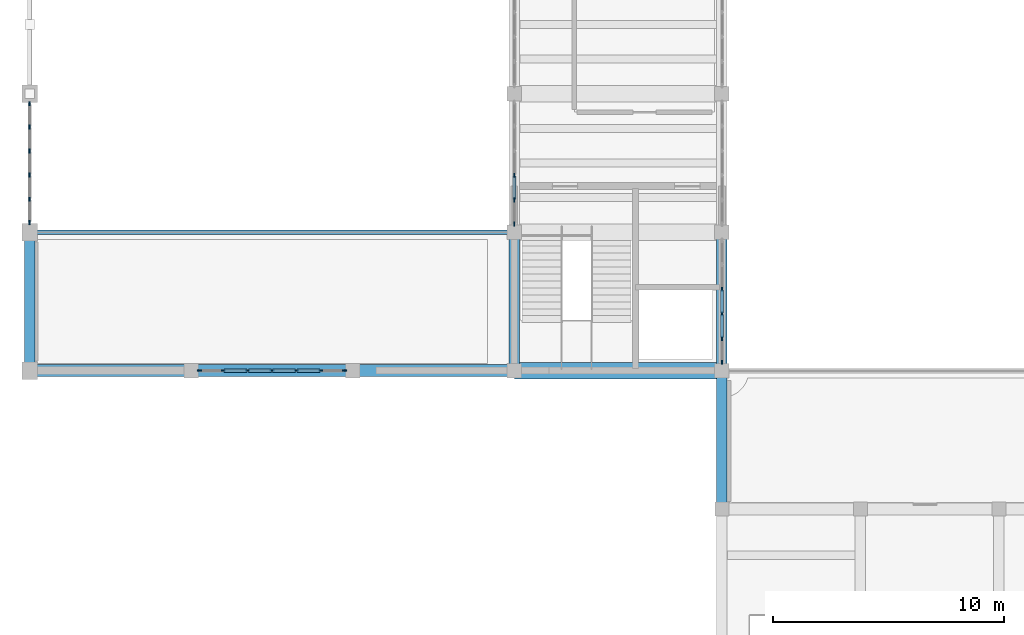
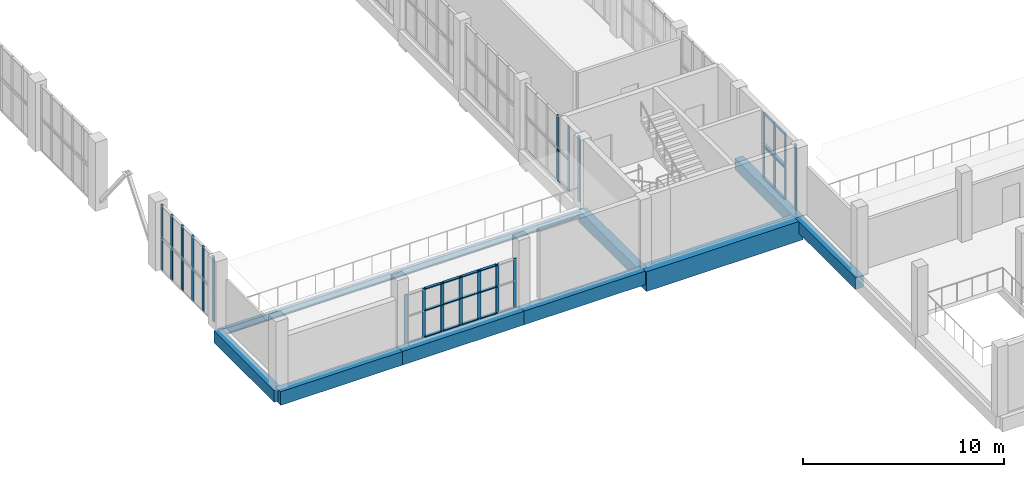
# One storey, part 3 of 85: 55 members, 9 beams, 7 elements without a shape of their own.
"""IFC4 building model written with IfcOpenShell, lengths in metres."""

from ifc_helpers import new_model, si_unit, direction, frame, origin, origin_2d, place, context, subcontext, project, spatial, rectangle, i_section, extrude, material, layer, layer_set, material_profile, profile_set, type_object, element, aggregate, save


model = new_model("IFC4")

# Units and contexts
model_context = context("Model", 3, precision=1e-05, world=origin(), true_north=direction((0.0, 1.0)))
body_context = subcontext(model_context, "Body", "Model", "MODEL_VIEW")
ifc_project = project(units=[si_unit("LENGTHUNIT", "METRE"), si_unit("AREAUNIT", "SQUARE_METRE"), si_unit("VOLUMEUNIT", "CUBIC_METRE"), si_unit("PLANEANGLEUNIT", "RADIAN"), si_unit("MASSUNIT", "GRAM", prefix="KILO")], contexts=[model_context])

# Site, building, storey
site_placement = place(None, origin())
site = spatial("IfcSite", under=ifc_project, at=site_placement, CompositionType="ELEMENT")
building_placement = place(site_placement, origin())
building = spatial("IfcBuilding", under=site, at=building_placement, Name="Solvane Community Centre", CompositionType="ELEMENT")
storey_placement = place(building_placement, frame((0.0, 0.0, 5.39990234375)))
storey = spatial("IfcBuildingStorey", under=building, at=storey_placement, Name="L01", CompositionType="ELEMENT", Elevation=5.39990234375)

# Curtain wall, members
ifc_material_1 = material(Name="Anodised bronze aluminium AW-6063 T6", Category="aluminium")
ifc_layer_1 = layer(ifc_material_1, 0.18994140625)
ifc_layer_set_1 = layer_set([ifc_layer_1], Name="Anodised bronze aluminium AW-6063 T6")
curtain_wall_type_1 = type_object("IfcCurtainWallType", Name="Boulevard Bronze Vision Curtain Wall [63x30dm]", PredefinedType="NOTDEFINED", material=ifc_layer_set_1)
curtain_wall_1_placement = place(storey_placement, origin())
curtain_wall_1 = element("IfcCurtainWall", 1, at=curtain_wall_1_placement, inside=storey, type_object=curtain_wall_type_1, Name="Curtain Wall CW-L01-197_420-084", PredefinedType="NOTDEFINED")
ifc_material_profile_1 = material_profile(ifc_material_1, rectangle(XDim=0.06005859375, YDim=0.18994140625, at=origin_2d()), Name="CW-M 60x190")
ifc_profile_set_1 = profile_set([ifc_material_profile_1], Name="Anodised bronze aluminium AW-6063 T6")
member_type_1 = type_object("IfcMemberType", Name="Boulevard Mullion 60x190", PredefinedType="MULLION", material=ifc_profile_set_1)
member_1_placement = place(storey_placement, frame((19.639892578125, 42.0, 0.0), z_axis=(0.0, 0.0, 1.0), x_axis=(0.0, -1.0, 0.0)))
member_1 = element("IfcMember", 2, at=member_1_placement, type_object=member_type_1, Name="CW02-63x30 mullion 1", PredefinedType="MULLION", context=body_context, shape_type="SweptSolid", body=[
    extrude(rectangle(XDim=0.06005859375, YDim=0.18994140625, at=origin_2d()), origin(), (0.0, 0.0, 1.0), 2.965087890625),
])
member_2_placement = place(storey_placement, frame((18.61328125, 42.0, 0.0), z_axis=(0.0, 0.0, 1.0), x_axis=(0.0, -1.0, 0.0)))
member_2 = element("IfcMember", 3, at=member_2_placement, type_object=member_type_1, Name="CW02-63x30 mullion 2", PredefinedType="MULLION", context=body_context, shape_type="SweptSolid", body=[
    extrude(rectangle(XDim=0.06005859375, YDim=0.18994140625, at=origin_2d()), origin(), (0.0, 0.0, 1.0), 2.965087890625),
])
member_3_placement = place(storey_placement, frame((17.556640625, 42.0, 0.0), z_axis=(0.0, 0.0, 1.0), x_axis=(0.0, -1.0, 0.0)))
member_3 = element("IfcMember", 4, at=member_3_placement, type_object=member_type_1, Name="CW02-63x30 mullion 3", PredefinedType="MULLION", context=body_context, shape_type="SweptSolid", body=[
    extrude(rectangle(XDim=0.06005859375, YDim=0.18994140625, at=origin_2d()), origin(), (0.0, 0.0, 1.0), 2.965087890625),
])
member_4_placement = place(storey_placement, frame((16.5, 42.0, 0.0), z_axis=(0.0, 0.0, 1.0), x_axis=(0.0, -1.0, 0.0)))
member_4 = element("IfcMember", 5, at=member_4_placement, type_object=member_type_1, Name="CW02-63x30 mullion 4", PredefinedType="MULLION", context=body_context, shape_type="SweptSolid", body=[
    extrude(rectangle(XDim=0.06005859375, YDim=0.18994140625, at=origin_2d()), origin(), (0.0, 0.0, 1.0), 2.965087890625),
])
member_5_placement = place(storey_placement, frame((15.443359375, 42.0, 0.0), z_axis=(0.0, 0.0, 1.0), x_axis=(0.0, -1.0, 0.0)))
member_5 = element("IfcMember", 6, at=member_5_placement, type_object=member_type_1, Name="CW02-63x30 mullion 5", PredefinedType="MULLION", context=body_context, shape_type="SweptSolid", body=[
    extrude(rectangle(XDim=0.06005859375, YDim=0.18994140625, at=origin_2d()), origin(), (0.0, 0.0, 1.0), 2.965087890625),
])
member_6_placement = place(storey_placement, frame((14.38671875, 42.0, 0.0), z_axis=(0.0, 0.0, 1.0), x_axis=(0.0, -1.0, 0.0)))
member_6 = element("IfcMember", 7, at=member_6_placement, type_object=member_type_1, Name="CW02-63x30 mullion 6", PredefinedType="MULLION", context=body_context, shape_type="SweptSolid", body=[
    extrude(rectangle(XDim=0.06005859375, YDim=0.18994140625, at=origin_2d()), origin(), (0.0, 0.0, 1.0), 2.965087890625),
])
member_7_placement = place(storey_placement, frame((13.360107421875, 42.0, 0.0), z_axis=(0.0, 0.0, 1.0), x_axis=(0.0, -1.0, 0.0)))
member_7 = element("IfcMember", 8, at=member_7_placement, type_object=member_type_1, Name="CW02-63x30 mullion 7", PredefinedType="MULLION", context=body_context, shape_type="SweptSolid", body=[
    extrude(rectangle(XDim=0.06005859375, YDim=0.18994140625, at=origin_2d()), origin(), (0.0, 0.0, 1.0), 2.965087890625),
])
ifc_material_profile_2 = material_profile(ifc_material_1, rectangle(XDim=0.14990234375, YDim=0.06005859375, at=origin_2d()), Name="CW-T 60x150")
ifc_profile_set_2 = profile_set([ifc_material_profile_2], Name="Anodised bronze aluminium AW-6063 T6")
member_type_2 = type_object("IfcMemberType", Name="Boulevard Transom 60x150", PredefinedType="USERDEFINED", material=ifc_profile_set_2)
member_8_placement = place(storey_placement, frame((18.583251953125, 42.0, 0.030029296875), z_axis=(-1.0, 0.0, 0.0), x_axis=(0.0, -1.0, 0.0)))
member_8 = element("IfcMember", 9, at=member_8_placement, type_object=member_type_2, Name="CW02-63x30 transom 2.1", ObjectType="TRANSOM", PredefinedType="USERDEFINED", context=body_context, shape_type="SweptSolid", body=[
    extrude(rectangle(XDim=0.14990234375, YDim=0.06005859375, at=origin_2d()), origin(), (0.0, 0.0, 1.0), 0.99658203125),
])
member_9_placement = place(storey_placement, frame((18.583251953125, 42.0, 1.631103515625), z_axis=(-1.0, 0.0, 0.0), x_axis=(0.0, -1.0, 0.0)))
member_9 = element("IfcMember", 10, at=member_9_placement, type_object=member_type_2, Name="CW02-63x30 transom 2.2", ObjectType="TRANSOM", PredefinedType="USERDEFINED", context=body_context, shape_type="SweptSolid", body=[
    extrude(rectangle(XDim=0.14990234375, YDim=0.06005859375, at=origin_2d()), origin(), (0.0, 0.0, 1.0), 0.99658203125),
])
member_10_placement = place(storey_placement, frame((18.583251953125, 42.0, 2.93505859375), z_axis=(-1.0, 0.0, 0.0), x_axis=(0.0, -1.0, 0.0)))
member_10 = element("IfcMember", 11, at=member_10_placement, type_object=member_type_2, Name="CW02-63x30 transom 2.3", ObjectType="TRANSOM", PredefinedType="USERDEFINED", context=body_context, shape_type="SweptSolid", body=[
    extrude(rectangle(XDim=0.14990234375, YDim=0.06005859375, at=origin_2d()), origin(), (0.0, 0.0, 1.0), 0.99658203125),
])
member_11_placement = place(storey_placement, frame((17.526611328125, 42.0, 0.030029296875), z_axis=(-1.0, 0.0, 0.0), x_axis=(0.0, -1.0, 0.0)))
member_11 = element("IfcMember", 12, at=member_11_placement, type_object=member_type_2, Name="CW02-63x30 transom 3.1", ObjectType="TRANSOM", PredefinedType="USERDEFINED", context=body_context, shape_type="SweptSolid", body=[
    extrude(rectangle(XDim=0.14990234375, YDim=0.06005859375, at=origin_2d()), origin(), (0.0, 0.0, 1.0), 0.99658203125),
])
member_12_placement = place(storey_placement, frame((17.526611328125, 42.0, 1.631103515625), z_axis=(-1.0, 0.0, 0.0), x_axis=(0.0, -1.0, 0.0)))
member_12 = element("IfcMember", 13, at=member_12_placement, type_object=member_type_2, Name="CW02-63x30 transom 3.2", ObjectType="TRANSOM", PredefinedType="USERDEFINED", context=body_context, shape_type="SweptSolid", body=[
    extrude(rectangle(XDim=0.14990234375, YDim=0.06005859375, at=origin_2d()), origin(), (0.0, 0.0, 1.0), 0.99658203125),
])
member_13_placement = place(storey_placement, frame((17.526611328125, 42.0, 2.93505859375), z_axis=(-1.0, 0.0, 0.0), x_axis=(0.0, -1.0, 0.0)))
member_13 = element("IfcMember", 14, at=member_13_placement, type_object=member_type_2, Name="CW02-63x30 transom 3.3", ObjectType="TRANSOM", PredefinedType="USERDEFINED", context=body_context, shape_type="SweptSolid", body=[
    extrude(rectangle(XDim=0.14990234375, YDim=0.06005859375, at=origin_2d()), origin(), (0.0, 0.0, 1.0), 0.99658203125),
])
member_14_placement = place(storey_placement, frame((16.469970703125, 42.0, 0.030029296875), z_axis=(-1.0, 0.0, 0.0), x_axis=(0.0, -1.0, 0.0)))
member_14 = element("IfcMember", 15, at=member_14_placement, type_object=member_type_2, Name="CW02-63x30 transom 4.1", ObjectType="TRANSOM", PredefinedType="USERDEFINED", context=body_context, shape_type="SweptSolid", body=[
    extrude(rectangle(XDim=0.14990234375, YDim=0.06005859375, at=origin_2d()), origin(), (0.0, 0.0, 1.0), 0.99658203125),
])
member_15_placement = place(storey_placement, frame((16.469970703125, 42.0, 1.631103515625), z_axis=(-1.0, 0.0, 0.0), x_axis=(0.0, -1.0, 0.0)))
member_15 = element("IfcMember", 16, at=member_15_placement, type_object=member_type_2, Name="CW02-63x30 transom 4.2", ObjectType="TRANSOM", PredefinedType="USERDEFINED", context=body_context, shape_type="SweptSolid", body=[
    extrude(rectangle(XDim=0.14990234375, YDim=0.06005859375, at=origin_2d()), origin(), (0.0, 0.0, 1.0), 0.99658203125),
])
member_16_placement = place(storey_placement, frame((16.469970703125, 42.0, 2.93505859375), z_axis=(-1.0, 0.0, 0.0), x_axis=(0.0, -1.0, 0.0)))
member_16 = element("IfcMember", 17, at=member_16_placement, type_object=member_type_2, Name="CW02-63x30 transom 4.3", ObjectType="TRANSOM", PredefinedType="USERDEFINED", context=body_context, shape_type="SweptSolid", body=[
    extrude(rectangle(XDim=0.14990234375, YDim=0.06005859375, at=origin_2d()), origin(), (0.0, 0.0, 1.0), 0.99658203125),
])
member_17_placement = place(storey_placement, frame((15.413330078125, 42.0, 0.030029296875), z_axis=(-1.0, 0.0, 0.0), x_axis=(0.0, -1.0, 0.0)))
member_17 = element("IfcMember", 18, at=member_17_placement, type_object=member_type_2, Name="CW02-63x30 transom 5.1", ObjectType="TRANSOM", PredefinedType="USERDEFINED", context=body_context, shape_type="SweptSolid", body=[
    extrude(rectangle(XDim=0.14990234375, YDim=0.06005859375, at=origin_2d()), origin(), (0.0, 0.0, 1.0), 0.99658203125),
])
member_18_placement = place(storey_placement, frame((15.413330078125, 42.0, 1.631103515625), z_axis=(-1.0, 0.0, 0.0), x_axis=(0.0, -1.0, 0.0)))
member_18 = element("IfcMember", 19, at=member_18_placement, type_object=member_type_2, Name="CW02-63x30 transom 5.2", ObjectType="TRANSOM", PredefinedType="USERDEFINED", context=body_context, shape_type="SweptSolid", body=[
    extrude(rectangle(XDim=0.14990234375, YDim=0.06005859375, at=origin_2d()), origin(), (0.0, 0.0, 1.0), 0.99658203125),
])
member_19_placement = place(storey_placement, frame((15.413330078125, 42.0, 2.93505859375), z_axis=(-1.0, 0.0, 0.0), x_axis=(0.0, -1.0, 0.0)))
member_19 = element("IfcMember", 20, at=member_19_placement, type_object=member_type_2, Name="CW02-63x30 transom 5.3", ObjectType="TRANSOM", PredefinedType="USERDEFINED", context=body_context, shape_type="SweptSolid", body=[
    extrude(rectangle(XDim=0.14990234375, YDim=0.06005859375, at=origin_2d()), origin(), (0.0, 0.0, 1.0), 0.99658203125),
])
aggregate(curtain_wall_1, [member_1, member_2, member_3, member_4, member_5, member_6, member_7, member_8, member_9, member_10, member_11, member_12, member_13, member_14, member_15, member_16, member_17, member_18, member_19])

ifc_layer_2 = layer(ifc_material_1, 0.179931640625)
ifc_layer_set_2 = layer_set([ifc_layer_2], Name="Anodised bronze aluminium AW-6063 T6")
curtain_wall_type_2 = type_object("IfcCurtainWallType", Name="Hall Translucent Upper Curtain Wall [53x19dm]", PredefinedType="NOTDEFINED", material=ifc_layer_set_2)
curtain_wall_2_placement = place(storey_placement, origin())
curtain_wall_2 = element("IfcCurtainWall", 21, at=curtain_wall_2_placement, inside=storey, type_object=curtain_wall_type_2, Name="Curtain Wall CW-L01-360_423-031", PredefinedType="NOTDEFINED")
ifc_material_profile_3 = material_profile(ifc_material_1, rectangle(XDim=0.06005859375, YDim=0.179931640625, at=origin_2d()), Name="CW-M 60x180")
ifc_profile_set_3 = profile_set([ifc_material_profile_3], Name="Anodised bronze aluminium AW-6063 T6")
member_type_3 = type_object("IfcMemberType", Name="Hall Mullion 60x180", PredefinedType="MULLION", material=ifc_profile_set_3)
member_20_placement = place(storey_placement, frame((36.0, 42.360107421875, 0.0), z_axis=(0.0, 0.0, 1.0), x_axis=(-1.0, 0.0, 0.0)))
member_20 = element("IfcMember", 22, at=member_20_placement, type_object=member_type_3, Name="CW01-53x19 mullion 1", PredefinedType="MULLION", context=body_context, shape_type="SweptSolid", body=[
    extrude(rectangle(XDim=0.06005859375, YDim=0.179931640625, at=origin_2d()), origin(), (0.0, 0.0, 1.0), 1.9501953125),
])
member_21_placement = place(storey_placement, frame((36.0, 43.39794921875, 0.0), z_axis=(0.0, 0.0, 1.0), x_axis=(-1.0, 0.0, 0.0)))
member_21 = element("IfcMember", 23, at=member_21_placement, type_object=member_type_3, Name="CW01-53x19 mullion 2", PredefinedType="MULLION", context=body_context, shape_type="SweptSolid", body=[
    extrude(rectangle(XDim=0.06005859375, YDim=0.179931640625, at=origin_2d()), origin(), (0.0, 0.0, 1.0), 1.9501953125),
])
member_22_placement = place(storey_placement, frame((36.0, 44.466064453125, 0.0), z_axis=(0.0, 0.0, 1.0), x_axis=(-1.0, 0.0, 0.0)))
member_22 = element("IfcMember", 24, at=member_22_placement, type_object=member_type_3, Name="CW01-53x19 mullion 3", PredefinedType="MULLION", context=body_context, shape_type="SweptSolid", body=[
    extrude(rectangle(XDim=0.06005859375, YDim=0.179931640625, at=origin_2d()), origin(), (0.0, 0.0, 1.0), 1.9501953125),
])
member_23_placement = place(storey_placement, frame((36.0, 45.533935546875, 0.0), z_axis=(0.0, 0.0, 1.0), x_axis=(-1.0, 0.0, 0.0)))
member_23 = element("IfcMember", 25, at=member_23_placement, type_object=member_type_3, Name="CW01-53x19 mullion 4", PredefinedType="MULLION", context=body_context, shape_type="SweptSolid", body=[
    extrude(rectangle(XDim=0.06005859375, YDim=0.179931640625, at=origin_2d()), origin(), (0.0, 0.0, 1.0), 1.9501953125),
])

ifc_layer_3 = layer(ifc_material_1, 0.179931640625)
ifc_layer_set_3 = layer_set([ifc_layer_3], Name="Anodised bronze aluminium AW-6063 T6")
curtain_wall_type_3 = type_object("IfcCurtainWallType", Name="Hall Translucent Upper Curtain Wall [53x20dm]", PredefinedType="NOTDEFINED", material=ifc_layer_set_3)
curtain_wall_3_placement = place(storey_placement, origin())
curtain_wall_3 = element("IfcCurtainWall", 26, at=curtain_wall_3_placement, inside=storey, type_object=curtain_wall_type_3, Name="Curtain Wall CW-L01-360_423-032", PredefinedType="NOTDEFINED")
member_24_placement = place(storey_placement, frame((36.0, 42.360107421875, 2.02001953125), z_axis=(0.0, 0.0, 1.0), x_axis=(-1.0, 0.0, 0.0)))
member_24 = element("IfcMember", 27, at=member_24_placement, type_object=member_type_3, Name="CW01-53x20 mullion 1", PredefinedType="MULLION", context=body_context, shape_type="SweptSolid", body=[
    extrude(rectangle(XDim=0.06005859375, YDim=0.179931640625, at=origin_2d()), origin(), (0.0, 0.0, 1.0), 1.9599609375),
])
member_25_placement = place(storey_placement, frame((36.0, 43.39794921875, 2.02001953125), z_axis=(0.0, 0.0, 1.0), x_axis=(-1.0, 0.0, 0.0)))
member_25 = element("IfcMember", 28, at=member_25_placement, type_object=member_type_3, Name="CW01-53x20 mullion 2", PredefinedType="MULLION", context=body_context, shape_type="SweptSolid", body=[
    extrude(rectangle(XDim=0.06005859375, YDim=0.179931640625, at=origin_2d()), origin(), (0.0, 0.0, 1.0), 1.9599609375),
])
member_26_placement = place(storey_placement, frame((36.0, 44.466064453125, 2.02001953125), z_axis=(0.0, 0.0, 1.0), x_axis=(-1.0, 0.0, 0.0)))
member_26 = element("IfcMember", 29, at=member_26_placement, type_object=member_type_3, Name="CW01-53x20 mullion 3", PredefinedType="MULLION", context=body_context, shape_type="SweptSolid", body=[
    extrude(rectangle(XDim=0.06005859375, YDim=0.179931640625, at=origin_2d()), origin(), (0.0, 0.0, 1.0), 1.9599609375),
])
member_27_placement = place(storey_placement, frame((36.0, 45.533935546875, 2.02001953125), z_axis=(0.0, 0.0, 1.0), x_axis=(-1.0, 0.0, 0.0)))
member_27 = element("IfcMember", 30, at=member_27_placement, type_object=member_type_3, Name="CW01-53x20 mullion 4", PredefinedType="MULLION", context=body_context, shape_type="SweptSolid", body=[
    extrude(rectangle(XDim=0.06005859375, YDim=0.179931640625, at=origin_2d()), origin(), (0.0, 0.0, 1.0), 1.9599609375),
])

ifc_layer_4 = layer(ifc_material_1, 0.179931640625)
ifc_layer_set_4 = layer_set([ifc_layer_4], Name="Anodised bronze aluminium AW-6063 T6")
curtain_wall_type_4 = type_object("IfcCurtainWallType", Name="Hall Translucent Upper Curtain Wall [52x19dm]", PredefinedType="NOTDEFINED", material=ifc_layer_set_4)
curtain_wall_4_placement = place(storey_placement, origin())
curtain_wall_4 = element("IfcCurtainWall", 31, at=curtain_wall_4_placement, inside=storey, type_object=curtain_wall_type_4, Name="Curtain Wall CW-L01-60_484-039", PredefinedType="NOTDEFINED")
member_28_placement = place(storey_placement, frame((6.0, 48.425048828125, 0.0), z_axis=(0.0, 0.0, 1.0), x_axis=(-1.0, 0.0, 0.0)))
member_28 = element("IfcMember", 32, at=member_28_placement, type_object=member_type_3, Name="CW01-52x19 mullion 1", PredefinedType="MULLION", context=body_context, shape_type="SweptSolid", body=[
    extrude(rectangle(XDim=0.06005859375, YDim=0.179931640625, at=origin_2d()), origin(), (0.0, 0.0, 1.0), 1.9501953125),
])
member_29_placement = place(storey_placement, frame((6.0, 49.43701171875, 0.0), z_axis=(0.0, 0.0, 1.0), x_axis=(-1.0, 0.0, 0.0)))
member_29 = element("IfcMember", 33, at=member_29_placement, type_object=member_type_3, Name="CW01-52x19 mullion 2", PredefinedType="MULLION", context=body_context, shape_type="SweptSolid", body=[
    extrude(rectangle(XDim=0.06005859375, YDim=0.179931640625, at=origin_2d()), origin(), (0.0, 0.0, 1.0), 1.9501953125),
])
member_30_placement = place(storey_placement, frame((6.0, 50.47900390625, 0.0), z_axis=(0.0, 0.0, 1.0), x_axis=(-1.0, 0.0, 0.0)))
member_30 = element("IfcMember", 34, at=member_30_placement, type_object=member_type_3, Name="CW01-52x19 mullion 3", PredefinedType="MULLION", context=body_context, shape_type="SweptSolid", body=[
    extrude(rectangle(XDim=0.06005859375, YDim=0.179931640625, at=origin_2d()), origin(), (0.0, 0.0, 1.0), 1.9501953125),
])
member_31_placement = place(storey_placement, frame((6.0, 51.52099609375, 0.0), z_axis=(0.0, 0.0, 1.0), x_axis=(-1.0, 0.0, 0.0)))
member_31 = element("IfcMember", 35, at=member_31_placement, type_object=member_type_3, Name="CW01-52x19 mullion 4", PredefinedType="MULLION", context=body_context, shape_type="SweptSolid", body=[
    extrude(rectangle(XDim=0.06005859375, YDim=0.179931640625, at=origin_2d()), origin(), (0.0, 0.0, 1.0), 1.9501953125),
])
member_32_placement = place(storey_placement, frame((6.0, 52.56298828125, 0.0), z_axis=(0.0, 0.0, 1.0), x_axis=(-1.0, 0.0, 0.0)))
member_32 = element("IfcMember", 36, at=member_32_placement, type_object=member_type_3, Name="CW01-52x19 mullion 5", PredefinedType="MULLION", context=body_context, shape_type="SweptSolid", body=[
    extrude(rectangle(XDim=0.06005859375, YDim=0.179931640625, at=origin_2d()), origin(), (0.0, 0.0, 1.0), 1.9501953125),
])
member_33_placement = place(storey_placement, frame((6.0, 53.574951171875, 0.0), z_axis=(0.0, 0.0, 1.0), x_axis=(-1.0, 0.0, 0.0)))
member_33 = element("IfcMember", 37, at=member_33_placement, type_object=member_type_3, Name="CW01-52x19 mullion 6", PredefinedType="MULLION", context=body_context, shape_type="SweptSolid", body=[
    extrude(rectangle(XDim=0.06005859375, YDim=0.179931640625, at=origin_2d()), origin(), (0.0, 0.0, 1.0), 1.9501953125),
])
aggregate(curtain_wall_4, [member_28, member_29, member_30, member_31, member_32, member_33])

ifc_layer_5 = layer(ifc_material_1, 0.179931640625)
ifc_layer_set_5 = layer_set([ifc_layer_5], Name="Anodised bronze aluminium AW-6063 T6")
curtain_wall_type_5 = type_object("IfcCurtainWallType", Name="Hall Translucent Upper Curtain Wall [52x20dm]", PredefinedType="NOTDEFINED", material=ifc_layer_set_5)
curtain_wall_5_placement = place(storey_placement, origin())
curtain_wall_5 = element("IfcCurtainWall", 38, at=curtain_wall_5_placement, inside=storey, type_object=curtain_wall_type_5, Name="Curtain Wall CW-L01-60_484-040", PredefinedType="NOTDEFINED")
member_34_placement = place(storey_placement, frame((6.0, 48.425048828125, 2.02001953125), z_axis=(0.0, 0.0, 1.0), x_axis=(-1.0, 0.0, 0.0)))
member_34 = element("IfcMember", 39, at=member_34_placement, type_object=member_type_3, Name="CW01-52x20 mullion 1", PredefinedType="MULLION", context=body_context, shape_type="SweptSolid", body=[
    extrude(rectangle(XDim=0.06005859375, YDim=0.179931640625, at=origin_2d()), origin(), (0.0, 0.0, 1.0), 1.9599609375),
])
member_35_placement = place(storey_placement, frame((6.0, 49.43701171875, 2.02001953125), z_axis=(0.0, 0.0, 1.0), x_axis=(-1.0, 0.0, 0.0)))
member_35 = element("IfcMember", 40, at=member_35_placement, type_object=member_type_3, Name="CW01-52x20 mullion 2", PredefinedType="MULLION", context=body_context, shape_type="SweptSolid", body=[
    extrude(rectangle(XDim=0.06005859375, YDim=0.179931640625, at=origin_2d()), origin(), (0.0, 0.0, 1.0), 1.9599609375),
])
member_36_placement = place(storey_placement, frame((6.0, 50.47900390625, 2.02001953125), z_axis=(0.0, 0.0, 1.0), x_axis=(-1.0, 0.0, 0.0)))
member_36 = element("IfcMember", 41, at=member_36_placement, type_object=member_type_3, Name="CW01-52x20 mullion 3", PredefinedType="MULLION", context=body_context, shape_type="SweptSolid", body=[
    extrude(rectangle(XDim=0.06005859375, YDim=0.179931640625, at=origin_2d()), origin(), (0.0, 0.0, 1.0), 1.9599609375),
])
member_37_placement = place(storey_placement, frame((6.0, 51.52099609375, 2.02001953125), z_axis=(0.0, 0.0, 1.0), x_axis=(-1.0, 0.0, 0.0)))
member_37 = element("IfcMember", 42, at=member_37_placement, type_object=member_type_3, Name="CW01-52x20 mullion 4", PredefinedType="MULLION", context=body_context, shape_type="SweptSolid", body=[
    extrude(rectangle(XDim=0.06005859375, YDim=0.179931640625, at=origin_2d()), origin(), (0.0, 0.0, 1.0), 1.9599609375),
])
member_38_placement = place(storey_placement, frame((6.0, 52.56298828125, 2.02001953125), z_axis=(0.0, 0.0, 1.0), x_axis=(-1.0, 0.0, 0.0)))
member_38 = element("IfcMember", 43, at=member_38_placement, type_object=member_type_3, Name="CW01-52x20 mullion 5", PredefinedType="MULLION", context=body_context, shape_type="SweptSolid", body=[
    extrude(rectangle(XDim=0.06005859375, YDim=0.179931640625, at=origin_2d()), origin(), (0.0, 0.0, 1.0), 1.9599609375),
])
member_39_placement = place(storey_placement, frame((6.0, 53.574951171875, 2.02001953125), z_axis=(0.0, 0.0, 1.0), x_axis=(-1.0, 0.0, 0.0)))
member_39 = element("IfcMember", 44, at=member_39_placement, type_object=member_type_3, Name="CW01-52x20 mullion 6", PredefinedType="MULLION", context=body_context, shape_type="SweptSolid", body=[
    extrude(rectangle(XDim=0.06005859375, YDim=0.179931640625, at=origin_2d()), origin(), (0.0, 0.0, 1.0), 1.9599609375),
])
aggregate(curtain_wall_5, [member_34, member_35, member_36, member_37, member_38, member_39])

curtain_wall_6_placement = place(storey_placement, origin())
curtain_wall_6 = element("IfcCurtainWall", 45, at=curtain_wall_6_placement, inside=storey, type_object=curtain_wall_type_2, Name="Curtain Wall CW-L01-270_537-041", PredefinedType="NOTDEFINED")
member_40_placement = place(storey_placement, frame((27.0, 50.466064453125, 0.0), z_axis=(0.0, 0.0, 1.0), x_axis=(1.0, 0.0, 0.0)))
member_40 = element("IfcMember", 46, at=member_40_placement, type_object=member_type_3, Name="CW01-53x19 mullion 4", PredefinedType="MULLION", context=body_context, shape_type="SweptSolid", body=[
    extrude(rectangle(XDim=0.06005859375, YDim=0.179931640625, at=origin_2d()), origin(), (0.0, 0.0, 1.0), 1.9501953125),
])
member_41_placement = place(storey_placement, frame((27.0, 49.39794921875, 0.0), z_axis=(0.0, 0.0, 1.0), x_axis=(1.0, 0.0, 0.0)))
member_41 = element("IfcMember", 47, at=member_41_placement, type_object=member_type_3, Name="CW01-53x19 mullion 5", PredefinedType="MULLION", context=body_context, shape_type="SweptSolid", body=[
    extrude(rectangle(XDim=0.06005859375, YDim=0.179931640625, at=origin_2d()), origin(), (0.0, 0.0, 1.0), 1.9501953125),
])
member_42_placement = place(storey_placement, frame((27.0, 48.360107421875, 0.0), z_axis=(0.0, 0.0, 1.0), x_axis=(1.0, 0.0, 0.0)))
member_42 = element("IfcMember", 48, at=member_42_placement, type_object=member_type_3, Name="CW01-53x19 mullion 6", PredefinedType="MULLION", context=body_context, shape_type="SweptSolid", body=[
    extrude(rectangle(XDim=0.06005859375, YDim=0.179931640625, at=origin_2d()), origin(), (0.0, 0.0, 1.0), 1.9501953125),
])

curtain_wall_7_placement = place(storey_placement, origin())
curtain_wall_7 = element("IfcCurtainWall", 49, at=curtain_wall_7_placement, inside=storey, type_object=curtain_wall_type_3, Name="Curtain Wall CW-L01-270_537-042", PredefinedType="NOTDEFINED")
member_43_placement = place(storey_placement, frame((27.0, 50.466064453125, 2.02001953125), z_axis=(0.0, 0.0, 1.0), x_axis=(1.0, 0.0, 0.0)))
member_43 = element("IfcMember", 50, at=member_43_placement, type_object=member_type_3, Name="CW01-53x20 mullion 4", PredefinedType="MULLION", context=body_context, shape_type="SweptSolid", body=[
    extrude(rectangle(XDim=0.06005859375, YDim=0.179931640625, at=origin_2d()), origin(), (0.0, 0.0, 1.0), 1.9599609375),
])
member_44_placement = place(storey_placement, frame((27.0, 49.39794921875, 2.02001953125), z_axis=(0.0, 0.0, 1.0), x_axis=(1.0, 0.0, 0.0)))
member_44 = element("IfcMember", 51, at=member_44_placement, type_object=member_type_3, Name="CW01-53x20 mullion 5", PredefinedType="MULLION", context=body_context, shape_type="SweptSolid", body=[
    extrude(rectangle(XDim=0.06005859375, YDim=0.179931640625, at=origin_2d()), origin(), (0.0, 0.0, 1.0), 1.9599609375),
])
member_45_placement = place(storey_placement, frame((27.0, 48.360107421875, 2.02001953125), z_axis=(0.0, 0.0, 1.0), x_axis=(1.0, 0.0, 0.0)))
member_45 = element("IfcMember", 52, at=member_45_placement, type_object=member_type_3, Name="CW01-53x20 mullion 6", PredefinedType="MULLION", context=body_context, shape_type="SweptSolid", body=[
    extrude(rectangle(XDim=0.06005859375, YDim=0.179931640625, at=origin_2d()), origin(), (0.0, 0.0, 1.0), 1.9599609375),
])
aggregate(curtain_wall_7, [member_43, member_44, member_45])

# Member
ifc_material_profile_4 = material_profile(ifc_material_1, rectangle(XDim=0.139892578125, YDim=0.06005859375, at=origin_2d()), Name="CW-T 60x140")
ifc_profile_set_4 = profile_set([ifc_material_profile_4], Name="Anodised bronze aluminium AW-6063 T6")
member_type_4 = type_object("IfcMemberType", Name="Hall Transom 60x140", PredefinedType="USERDEFINED", material=ifc_profile_set_4)
member_46_placement = place(storey_placement, frame((36.0, 43.427978515625, 0.030029296875), z_axis=(0.0, 1.0, 0.0), x_axis=(-1.0, 0.0, 0.0)))
member_46 = element("IfcMember", 53, at=member_46_placement, type_object=member_type_4, Name="CW01-53x19 transom 2.1", ObjectType="TRANSOM", PredefinedType="USERDEFINED", context=body_context, shape_type="SweptSolid", body=[
    extrude(rectangle(XDim=0.139892578125, YDim=0.06005859375, at=origin_2d()), origin(), (0.0, 0.0, 1.0), 1.008056640625),
])

member_47_placement = place(storey_placement, frame((36.0, 43.427978515625, 1.920166015625), z_axis=(0.0, 1.0, 0.0), x_axis=(-1.0, 0.0, 0.0)))
member_47 = element("IfcMember", 54, at=member_47_placement, type_object=member_type_4, Name="CW01-53x19 transom 2.2", ObjectType="TRANSOM", PredefinedType="USERDEFINED", context=body_context, shape_type="SweptSolid", body=[
    extrude(rectangle(XDim=0.139892578125, YDim=0.06005859375, at=origin_2d()), origin(), (0.0, 0.0, 1.0), 1.008056640625),
])

member_48_placement = place(storey_placement, frame((36.0, 44.49609375, 0.030029296875), z_axis=(0.0, 1.0, 0.0), x_axis=(-1.0, 0.0, 0.0)))
member_48 = element("IfcMember", 55, at=member_48_placement, type_object=member_type_4, Name="CW01-53x19 transom 3.1", ObjectType="TRANSOM", PredefinedType="USERDEFINED", context=body_context, shape_type="SweptSolid", body=[
    extrude(rectangle(XDim=0.139892578125, YDim=0.06005859375, at=origin_2d()), origin(), (0.0, 0.0, 1.0), 1.0078125),
])

member_49_placement = place(storey_placement, frame((36.0, 44.49609375, 1.920166015625), z_axis=(0.0, 1.0, 0.0), x_axis=(-1.0, 0.0, 0.0)))
member_49 = element("IfcMember", 56, at=member_49_placement, type_object=member_type_4, Name="CW01-53x19 transom 3.2", ObjectType="TRANSOM", PredefinedType="USERDEFINED", context=body_context, shape_type="SweptSolid", body=[
    extrude(rectangle(XDim=0.139892578125, YDim=0.06005859375, at=origin_2d()), origin(), (0.0, 0.0, 1.0), 1.0078125),
])

aggregate(curtain_wall_2, [member_20, member_21, member_22, member_23, member_46, member_47, member_48, member_49])

member_50_placement = place(storey_placement, frame((36.0, 43.427978515625, 2.050048828125), z_axis=(0.0, 1.0, 0.0), x_axis=(-1.0, 0.0, 0.0)))
member_50 = element("IfcMember", 57, at=member_50_placement, type_object=member_type_4, Name="CW01-53x20 transom 2.1", ObjectType="TRANSOM", PredefinedType="USERDEFINED", context=body_context, shape_type="SweptSolid", body=[
    extrude(rectangle(XDim=0.139892578125, YDim=0.06005859375, at=origin_2d()), origin(), (0.0, 0.0, 1.0), 1.008056640625),
])

member_51_placement = place(storey_placement, frame((36.0, 43.427978515625, 3.9501953125), z_axis=(0.0, 1.0, 0.0), x_axis=(-1.0, 0.0, 0.0)))
member_51 = element("IfcMember", 58, at=member_51_placement, type_object=member_type_4, Name="CW01-53x20 transom 2.2", ObjectType="TRANSOM", PredefinedType="USERDEFINED", context=body_context, shape_type="SweptSolid", body=[
    extrude(rectangle(XDim=0.139892578125, YDim=0.06005859375, at=origin_2d()), origin(), (0.0, 0.0, 1.0), 1.008056640625),
])

member_52_placement = place(storey_placement, frame((36.0, 44.49609375, 2.050048828125), z_axis=(0.0, 1.0, 0.0), x_axis=(-1.0, 0.0, 0.0)))
member_52 = element("IfcMember", 59, at=member_52_placement, type_object=member_type_4, Name="CW01-53x20 transom 3.1", ObjectType="TRANSOM", PredefinedType="USERDEFINED", context=body_context, shape_type="SweptSolid", body=[
    extrude(rectangle(XDim=0.139892578125, YDim=0.06005859375, at=origin_2d()), origin(), (0.0, 0.0, 1.0), 1.0078125),
])

member_53_placement = place(storey_placement, frame((36.0, 44.49609375, 3.9501953125), z_axis=(0.0, 1.0, 0.0), x_axis=(-1.0, 0.0, 0.0)))
member_53 = element("IfcMember", 60, at=member_53_placement, type_object=member_type_4, Name="CW01-53x20 transom 3.2", ObjectType="TRANSOM", PredefinedType="USERDEFINED", context=body_context, shape_type="SweptSolid", body=[
    extrude(rectangle(XDim=0.139892578125, YDim=0.06005859375, at=origin_2d()), origin(), (0.0, 0.0, 1.0), 1.0078125),
])

aggregate(curtain_wall_3, [member_24, member_25, member_26, member_27, member_50, member_51, member_52, member_53])

member_54_placement = place(storey_placement, frame((27.0, 50.43603515625, 0.030029296875), z_axis=(0.0, -1.0, 0.0), x_axis=(1.0, 0.0, 0.0)))
member_54 = element("IfcMember", 61, at=member_54_placement, type_object=member_type_4, Name="CW01-53x19 transom 4.1", ObjectType="TRANSOM", PredefinedType="USERDEFINED", context=body_context, shape_type="SweptSolid", body=[
    extrude(rectangle(XDim=0.139892578125, YDim=0.06005859375, at=origin_2d()), origin(), (0.0, 0.0, 1.0), 1.008056640625),
])

member_55_placement = place(storey_placement, frame((27.0, 50.43603515625, 1.920166015625), z_axis=(0.0, -1.0, 0.0), x_axis=(1.0, 0.0, 0.0)))
member_55 = element("IfcMember", 62, at=member_55_placement, type_object=member_type_4, Name="CW01-53x19 transom 4.2", ObjectType="TRANSOM", PredefinedType="USERDEFINED", context=body_context, shape_type="SweptSolid", body=[
    extrude(rectangle(XDim=0.139892578125, YDim=0.06005859375, at=origin_2d()), origin(), (0.0, 0.0, 1.0), 1.008056640625),
])

aggregate(curtain_wall_6, [member_40, member_41, member_42, member_54, member_55])

# Beams
ifc_material_2 = material(Name="Concrete C35/45", Category="concrete")
ifc_material_profile_5 = material_profile(ifc_material_2, rectangle(XDim=0.4599609375, YDim=0.719970703125, at=origin_2d()), Name="RC 460x720")
ifc_profile_set_5 = profile_set([ifc_material_profile_5], Name="Concrete C35/45")
beam_type_1 = type_object("IfcBeamType", Name="RC Cloister Beam 460x720", PredefinedType="BEAM", material=ifc_profile_set_5)
for number, where, z_axis, x_axis, name in (
    (63, (6.0, 42.0, -0.599853515625), (0.0, 1.0, 0.0), (-1.0, 0.0, 0.0), "Beam BM-L01-60_420-60_480"),
    (64, (27.0, 42.0, -0.599853515625), (0.0, 1.0, 0.0), (-1.0, 0.0, 0.0), "Beam BM-L01-270_420-270_480"),
    (65, (36.0, 36.0, -0.599853515625), (0.0, 1.0, 0.0), (-1.0, 0.0, 0.0), "Beam BM-L01-360_360-360_420"),
    (66, (36.0, 42.0, -0.599853515625), (0.0, 1.0, 0.0), (-1.0, 0.0, 0.0), "Beam BM-L01-360_420-360_480"),
):
    element("IfcBeam", number, at=place(storey_placement, frame(where, z_axis=z_axis, x_axis=x_axis)), inside=storey, type_object=beam_type_1, Name=name, PredefinedType="BEAM", context=body_context, shape_type="SweptSolid", body=[
        extrude(rectangle(XDim=0.4599609375, YDim=0.719970703125, at=origin_2d()), origin(), (0.0, 0.0, 1.0), 6.0),
    ])
ifc_material_profile_6 = material_profile(ifc_material_2, rectangle(XDim=0.52001953125, YDim=0.830078125, at=origin_2d()), Name="RC 520x830")
ifc_profile_set_6 = profile_set([ifc_material_profile_6], Name="Concrete C35/45")
beam_type_2 = type_object("IfcBeamType", Name="RC Medium Girder 520x830", PredefinedType="USERDEFINED", material=ifc_profile_set_6)
for number, where, z_axis, x_axis, name in (
    (67, (6.0, 42.0, -0.65478515625), (1.0, 0.0, 0.0), (0.0, 1.0, 0.0), "Beam BM-L01-60_420-130_420"),
    (68, (13.0, 42.0, -0.65478515625), (1.0, 0.0, 0.0), (0.0, 1.0, 0.0), "Beam BM-L01-130_420-200_420"),
    (69, (20.0, 42.0, -0.65478515625), (1.0, 0.0, 0.0), (0.0, 1.0, 0.0), "Beam BM-L01-200_420-270_420"),
):
    element("IfcBeam", number, at=place(storey_placement, frame(where, z_axis=z_axis, x_axis=x_axis)), inside=storey, type_object=beam_type_2, Name=name, ObjectType="GIRDER", PredefinedType="USERDEFINED", context=body_context, shape_type="SweptSolid", body=[
        extrude(rectangle(XDim=0.52001953125, YDim=0.830078125, at=origin_2d()), origin(), (0.0, 0.0, 1.0), 7.0),
    ])
ifc_material_profile_7 = material_profile(ifc_material_2, rectangle(XDim=0.699951171875, YDim=1.199951171875, at=origin_2d()), Name="RC 700x1200")
ifc_profile_set_7 = profile_set([ifc_material_profile_7], Name="Concrete C35/45")
beam_type_3 = type_object("IfcBeamType", Name="RC Transfer Girder 700x1200", PredefinedType="USERDEFINED", material=ifc_profile_set_7)
beam_1_placement = place(storey_placement, frame((27.0, 42.0, -0.83984375), z_axis=(1.0, 0.0, 0.0), x_axis=(0.0, 1.0, 0.0)))
element("IfcBeam", 70, at=beam_1_placement, inside=storey, type_object=beam_type_3, Name="Beam BM-L01-270_420-360_420", ObjectType="GIRDER", PredefinedType="USERDEFINED", context=body_context, shape_type="SweptSolid", body=[
    extrude(rectangle(XDim=0.699951171875, YDim=1.199951171875, at=origin_2d()), origin(), (0.0, 0.0, 1.0), 9.0),
])
ifc_material_3 = material(Name="Steel ASTM A572 Grade 50", Category="steel")
ifc_material_profile_8 = material_profile(ifc_material_3, i_section(OverallWidth=0.180908203125, OverallDepth=0.4169921875, WebThickness=0.010986328125, FlangeThickness=0.018310546875, FilletRadius=0.012939453125, at=origin_2d()), Name="W410x85")
ifc_profile_set_8 = profile_set([ifc_material_profile_8], Name="Steel ASTM A572 Grade 50")
beam_type_4 = type_object("IfcBeamType", Name="Steel Gallery Girder W410x85", PredefinedType="USERDEFINED", material=ifc_profile_set_8)
beam_2_placement = place(storey_placement, frame((6.0, 48.0, -0.448486328125), z_axis=(1.0, 0.0, 0.0), x_axis=(0.0, 1.0, 0.0)))
element("IfcBeam", 71, at=beam_2_placement, inside=storey, type_object=beam_type_4, Name="Beam BM-L01-60_480-270_480", ObjectType="GIRDER", PredefinedType="USERDEFINED", context=body_context, shape_type="SweptSolid", body=[
    extrude(i_section(OverallWidth=0.180908203125, OverallDepth=0.4169921875, WebThickness=0.010986328125, FlangeThickness=0.018310546875, FilletRadius=0.012939453125, at=origin_2d()), origin(), (0.0, 0.0, 1.0), 21.0),
])

save(model, "model.ifc")
